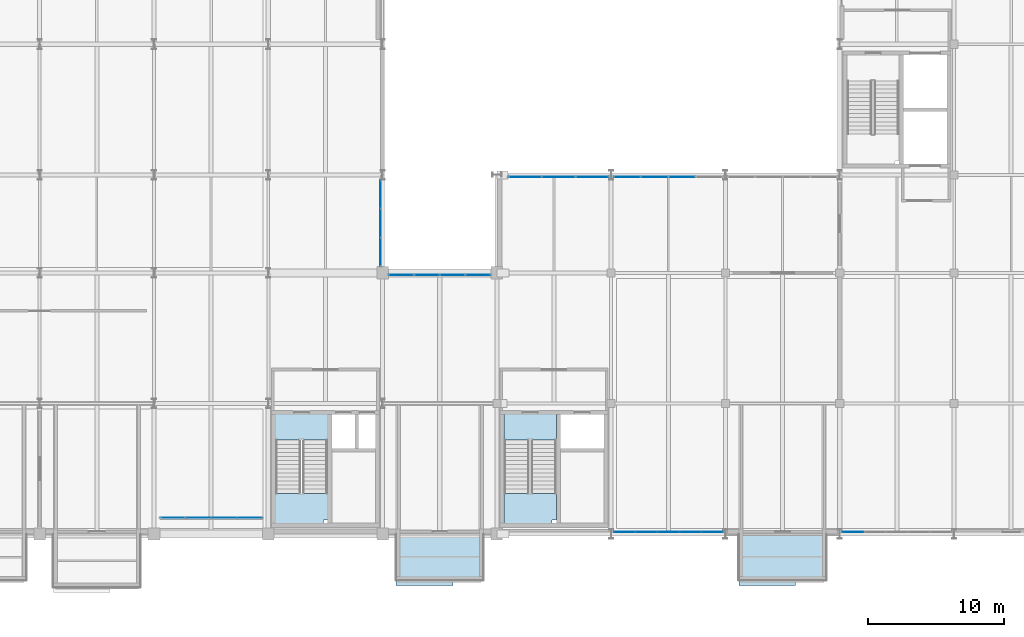
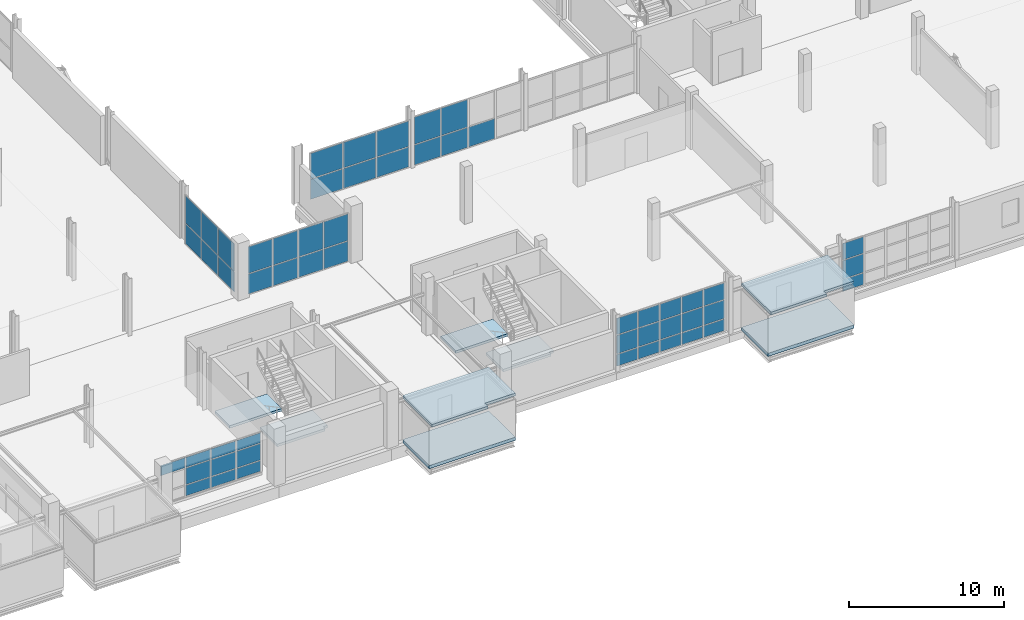
# One storey, part 88 of 113: 53 plates, 8 slabs, 9 elements without a shape of their own.
"""IFC4 building model written with IfcOpenShell, lengths in metres."""

from ifc_helpers import new_model, si_unit, direction, frame, origin, origin_2d, place, context, subcontext, project, spatial, polyline, rectangle, outline, extrude, material, layer, layer_set, type_object, element, aggregate, save


model = new_model("IFC4")

# Units and contexts
model_context = context("Model", 3, precision=1e-05, world=origin(), true_north=direction((0.0, 1.0)))
body_context = subcontext(model_context, "Body", "Model", "MODEL_VIEW")
ifc_project = project(units=[si_unit("LENGTHUNIT", "METRE"), si_unit("AREAUNIT", "SQUARE_METRE"), si_unit("VOLUMEUNIT", "CUBIC_METRE"), si_unit("PLANEANGLEUNIT", "RADIAN"), si_unit("MASSUNIT", "GRAM", prefix="KILO")], contexts=[model_context])

# Site, building, storey
site_placement = place(None, origin())
site = spatial("IfcSite", under=ifc_project, at=site_placement, CompositionType="ELEMENT")
building_placement = place(site_placement, origin())
building = spatial("IfcBuilding", under=site, at=building_placement, Name="Veltarok Museum of Natural Sciences", CompositionType="ELEMENT")
storey_placement = place(building_placement, frame((0.0, 0.0, 8.39990234375)))
storey = spatial("IfcBuildingStorey", under=building, at=storey_placement, Name="L01", CompositionType="ELEMENT", Elevation=8.39990234375)

# Slabs
ifc_material_1 = material(Name="Concrete C35/45", Category="concrete")
ifc_layer_1 = layer(ifc_material_1, 0.199951171875)
ifc_layer_set_1 = layer_set([ifc_layer_1], Name="Concrete C35/45")
slab_type_1 = type_object("IfcSlabType", Name="Cantilevered Cabinet Box Roof Slab 200", PredefinedType="ROOF", material=ifc_layer_set_1)
slab_1_placement = place(storey_placement, frame((0.0, 0.0, 3.25)))
element("IfcSlab", 1, at=slab_1_placement, inside=storey, type_object=slab_type_1, Name="Cabinet Box Roof Slab DB-05", PredefinedType="ROOF", context=body_context, shape_type="SweptSolid", body=[
    extrude(outline(polyline([(99.800048828125, -3.780029296875), (103.9599609375, -3.780029296875), (103.9599609375, -3.39990234375), (106.199951171875, -3.39990234375), (106.199951171875, 0.0), (99.800048828125, 0.0), (99.800048828125, -3.780029296875)])), origin(), (0.0, 0.0, 1.0), 0.2001953125),
])
slab_2_placement = place(storey_placement, frame((0.0, 0.0, 3.25)))
element("IfcSlab", 2, at=slab_2_placement, inside=storey, type_object=slab_type_1, Name="Cabinet Box Roof Slab DB-06", PredefinedType="ROOF", context=body_context, shape_type="SweptSolid", body=[
    extrude(outline(polyline([(125.0, -3.780029296875), (129.159912109375, -3.780029296875), (129.159912109375, -3.39990234375), (131.39990234375, -3.39990234375), (131.39990234375, 0.0), (125.0, 0.0), (125.0, -3.780029296875)])), origin(), (0.0, 0.0, 1.0), 0.2001953125),
])
ifc_layer_2 = layer(ifc_material_1, 0.199951171875)
ifc_layer_set_2 = layer_set([ifc_layer_2], Name="Concrete C35/45")
slab_type_2 = type_object("IfcSlabType", Name="Protected Stair Intermediate Landing Slab 200", PredefinedType="LANDING", material=ifc_layer_set_2)
slab_3_placement = place(storey_placement, frame((0.0, 0.0, -0.199951171875)))
element("IfcSlab", 3, at=slab_3_placement, inside=storey, type_object=slab_type_2, Name="Stairwell Floor Landing ST-02 L01", PredefinedType="LANDING", context=body_context, shape_type="SweptSolid", body=[
    extrude(outline(polyline([(90.909912109375, 6.89990234375), (94.7900390625, 6.89990234375), (94.7900390625, 8.820068359375), (90.909912109375, 8.820068359375), (90.909912109375, 6.89990234375)])), origin(), (0.0, 0.0, 1.0), 0.199951171875),
])

# Stair, slab
ifc_material_2 = material(Name="Precast concrete C40/50", Category="concrete")
stair_type = type_object("IfcStairType", Name="Protected Half-Turn Escape Stair H4500", PredefinedType="HALF_TURN_STAIR", material=ifc_material_2)
stair_1_placement = place(storey_placement, origin())
stair_1 = element("IfcStair", 4, at=stair_1_placement, inside=storey, type_object=stair_type, Name="Protected Escape Stair ST-02-L01", PredefinedType="HALF_TURN_STAIR")
slab_4_placement = place(storey_placement, frame((0.0, 0.0, 2.050048828125)))
slab_4 = element("IfcSlab", 5, at=slab_4_placement, type_object=slab_type_2, Name="ST-02-L01 landing 1", PredefinedType="LANDING", context=body_context, shape_type="SweptSolid", body=[
    extrude(outline(polyline([(90.909912109375, 0.780029296875), (94.469970703125, 0.780029296875), (94.469970703125, 1.02001953125), (94.7900390625, 1.02001953125), (94.7900390625, 3.0), (90.909912109375, 3.0), (90.909912109375, 0.780029296875)])), origin(), (0.0, 0.0, 1.0), 0.199951171875),
])
aggregate(stair_1, [slab_4])

# Slab
slab_5_placement = place(storey_placement, frame((0.0, 0.0, -0.199951171875)))
element("IfcSlab", 6, at=slab_5_placement, inside=storey, type_object=slab_type_2, Name="Stairwell Floor Landing ST-04 L01", PredefinedType="LANDING", context=body_context, shape_type="SweptSolid", body=[
    extrude(outline(polyline([(107.7099609375, 6.89990234375), (111.590087890625, 6.89990234375), (111.590087890625, 8.820068359375), (107.7099609375, 8.820068359375), (107.7099609375, 6.89990234375)])), origin(), (0.0, 0.0, 1.0), 0.199951171875),
])

# Stair, slab
stair_2_placement = place(storey_placement, origin())
stair_2 = element("IfcStair", 7, at=stair_2_placement, inside=storey, type_object=stair_type, Name="Protected Escape Stair ST-04-L01", PredefinedType="HALF_TURN_STAIR")
slab_6_placement = place(storey_placement, frame((0.0, 0.0, 2.050048828125)))
slab_6 = element("IfcSlab", 8, at=slab_6_placement, type_object=slab_type_2, Name="ST-04-L01 landing 1", PredefinedType="LANDING", context=body_context, shape_type="SweptSolid", body=[
    extrude(outline(polyline([(107.7099609375, 0.780029296875), (111.27001953125, 0.780029296875), (111.27001953125, 1.02001953125), (111.590087890625, 1.02001953125), (111.590087890625, 3.0), (107.7099609375, 3.0), (107.7099609375, 0.780029296875)])), origin(), (0.0, 0.0, 1.0), 0.199951171875),
])
aggregate(stair_2, [slab_6])

# Slabs
ifc_layer_3 = layer(ifc_material_1, 0.25)
ifc_layer_set_3 = layer_set([ifc_layer_3], Name="Concrete C35/45")
slab_type_3 = type_object("IfcSlabType", Name="Suspended Museum Floor Slab 250", PredefinedType="FLOOR", material=ifc_layer_set_3)
slab_7_placement = place(storey_placement, frame((0.0, 0.0, -0.25)))
element("IfcSlab", 9, at=slab_7_placement, inside=storey, type_object=slab_type_3, Name="Cabinet Box Floor Slab DB-05", PredefinedType="FLOOR", context=body_context, shape_type="SweptSolid", body=[
    extrude(outline(polyline([(99.800048828125, -3.39990234375), (106.199951171875, -3.39990234375), (106.199951171875, 0.0), (99.800048828125, 0.0), (99.800048828125, -3.39990234375)])), origin(), (0.0, 0.0, 1.0), 0.25),
])
slab_8_placement = place(storey_placement, frame((0.0, 0.0, -0.25)))
element("IfcSlab", 10, at=slab_8_placement, inside=storey, type_object=slab_type_3, Name="Cabinet Box Floor Slab DB-06", PredefinedType="FLOOR", context=body_context, shape_type="SweptSolid", body=[
    extrude(outline(polyline([(125.0, -3.39990234375), (131.39990234375, -3.39990234375), (131.39990234375, 0.0), (125.0, 0.0), (125.0, -3.39990234375)])), origin(), (0.0, 0.0, 1.0), 0.25),
])

# Curtain wall, plates
ifc_material_3 = material(Name="Low-iron triple insulated glass", Category="glass")
curtain_wall_type_1 = type_object("IfcCurtainWallType", Name="Curtain Wall System CW-CAB-L01-A-755x315 (V1 Recessed L01 755x315cm)", PredefinedType="NOTDEFINED", material=ifc_material_3)
curtain_wall_1_placement = place(storey_placement, origin())
curtain_wall_1 = element("IfcCurtainWall", 11, at=curtain_wall_1_placement, inside=storey, type_object=curtain_wall_type_1, Name="Curtain Wall CW-CAB-L01-A-755x315 CW-0002", PredefinedType="NOTDEFINED")
ifc_layer_4 = layer(ifc_material_3, 0.028076171875)
ifc_layer_set_4 = layer_set([ifc_layer_4], Name="Low-iron triple insulated glass")
plate_type = type_object("IfcPlateType", Name="Triple Low-Iron Glazed Vision Panel 28", PredefinedType="CURTAIN_PANEL", material=ifc_layer_set_4)
plate_1_placement = place(storey_placement, frame((83.3837890625, 1.199951171875, 2.480224609375), z_axis=(0.0, 0.0, 1.0), x_axis=(1.0, 0.0, 0.0)))
plate_1 = element("IfcPlate", 12, at=plate_1_placement, type_object=plate_type, Name="CW-CAB-L01-A-755x315 panel 1.3", PredefinedType="CURTAIN_PANEL", context=body_context, shape_type="SweptSolid", body=[
    extrude(rectangle(XDim=1.797607421875, YDim=0.028076171875, at=origin_2d()), origin(), (0.0, 0.0, 1.0), 0.794921875),
])
plate_2_placement = place(storey_placement, frame((85.25634765625, 1.199951171875, 0.239990234375), z_axis=(0.0, 0.0, 1.0), x_axis=(1.0, 0.0, 0.0)))
plate_2 = element("IfcPlate", 13, at=plate_2_placement, type_object=plate_type, Name="CW-CAB-L01-A-755x315 panel 2.1", PredefinedType="CURTAIN_PANEL", context=body_context, shape_type="SweptSolid", body=[
    extrude(rectangle(XDim=1.827392578125, YDim=0.028076171875, at=origin_2d()), origin(), (0.0, 0.0, 1.0), 0.830078125),
])
plate_3_placement = place(storey_placement, frame((85.25634765625, 1.199951171875, 1.130126953125), z_axis=(0.0, 0.0, 1.0), x_axis=(1.0, 0.0, 0.0)))
plate_3 = element("IfcPlate", 14, at=plate_3_placement, type_object=plate_type, Name="CW-CAB-L01-A-755x315 panel 2.2", PredefinedType="CURTAIN_PANEL", context=body_context, shape_type="SweptSolid", body=[
    extrude(rectangle(XDim=1.827392578125, YDim=0.028076171875, at=origin_2d()), origin(), (0.0, 0.0, 1.0), 1.2900390625),
])
plate_4_placement = place(storey_placement, frame((85.25634765625, 1.199951171875, 2.480224609375), z_axis=(0.0, 0.0, 1.0), x_axis=(1.0, 0.0, 0.0)))
plate_4 = element("IfcPlate", 15, at=plate_4_placement, type_object=plate_type, Name="CW-CAB-L01-A-755x315 panel 2.3", PredefinedType="CURTAIN_PANEL", context=body_context, shape_type="SweptSolid", body=[
    extrude(rectangle(XDim=1.827392578125, YDim=0.028076171875, at=origin_2d()), origin(), (0.0, 0.0, 1.0), 0.794921875),
])
plate_5_placement = place(storey_placement, frame((87.143798828125, 1.199951171875, 0.239990234375), z_axis=(0.0, 0.0, 1.0), x_axis=(1.0, 0.0, 0.0)))
plate_5 = element("IfcPlate", 16, at=plate_5_placement, type_object=plate_type, Name="CW-CAB-L01-A-755x315 panel 3.1", PredefinedType="CURTAIN_PANEL", context=body_context, shape_type="SweptSolid", body=[
    extrude(rectangle(XDim=1.827392578125, YDim=0.028076171875, at=origin_2d()), origin(), (0.0, 0.0, 1.0), 0.830078125),
])
plate_6_placement = place(storey_placement, frame((87.143798828125, 1.199951171875, 1.130126953125), z_axis=(0.0, 0.0, 1.0), x_axis=(1.0, 0.0, 0.0)))
plate_6 = element("IfcPlate", 17, at=plate_6_placement, type_object=plate_type, Name="CW-CAB-L01-A-755x315 panel 3.2", PredefinedType="CURTAIN_PANEL", context=body_context, shape_type="SweptSolid", body=[
    extrude(rectangle(XDim=1.827392578125, YDim=0.028076171875, at=origin_2d()), origin(), (0.0, 0.0, 1.0), 1.2900390625),
])
plate_7_placement = place(storey_placement, frame((87.143798828125, 1.199951171875, 2.480224609375), z_axis=(0.0, 0.0, 1.0), x_axis=(1.0, 0.0, 0.0)))
plate_7 = element("IfcPlate", 18, at=plate_7_placement, type_object=plate_type, Name="CW-CAB-L01-A-755x315 panel 3.3", PredefinedType="CURTAIN_PANEL", context=body_context, shape_type="SweptSolid", body=[
    extrude(rectangle(XDim=1.827392578125, YDim=0.028076171875, at=origin_2d()), origin(), (0.0, 0.0, 1.0), 0.794921875),
])
plate_8_placement = place(storey_placement, frame((89.016357421875, 1.199951171875, 0.239990234375), z_axis=(0.0, 0.0, 1.0), x_axis=(1.0, 0.0, 0.0)))
plate_8 = element("IfcPlate", 19, at=plate_8_placement, type_object=plate_type, Name="CW-CAB-L01-A-755x315 panel 4.1", PredefinedType="CURTAIN_PANEL", context=body_context, shape_type="SweptSolid", body=[
    extrude(rectangle(XDim=1.797607421875, YDim=0.028076171875, at=origin_2d()), origin(), (0.0, 0.0, 1.0), 0.830078125),
])
plate_9_placement = place(storey_placement, frame((89.016357421875, 1.199951171875, 1.130126953125), z_axis=(0.0, 0.0, 1.0), x_axis=(1.0, 0.0, 0.0)))
plate_9 = element("IfcPlate", 20, at=plate_9_placement, type_object=plate_type, Name="CW-CAB-L01-A-755x315 panel 4.2", PredefinedType="CURTAIN_PANEL", context=body_context, shape_type="SweptSolid", body=[
    extrude(rectangle(XDim=1.797607421875, YDim=0.028076171875, at=origin_2d()), origin(), (0.0, 0.0, 1.0), 1.2900390625),
])
plate_10_placement = place(storey_placement, frame((89.016357421875, 1.199951171875, 2.480224609375), z_axis=(0.0, 0.0, 1.0), x_axis=(1.0, 0.0, 0.0)))
plate_10 = element("IfcPlate", 21, at=plate_10_placement, type_object=plate_type, Name="CW-CAB-L01-A-755x315 panel 4.3", PredefinedType="CURTAIN_PANEL", context=body_context, shape_type="SweptSolid", body=[
    extrude(rectangle(XDim=1.797607421875, YDim=0.028076171875, at=origin_2d()), origin(), (0.0, 0.0, 1.0), 0.794921875),
])
aggregate(curtain_wall_1, [plate_1, plate_2, plate_3, plate_4, plate_5, plate_6, plate_7, plate_8, plate_9, plate_10])

curtain_wall_type_2 = type_object("IfcCurtainWallType", Name="Curtain Wall System CW-V5S-L01-14-810x388 (V5 South Lab Curtain Wall L01 14-15 810x388cm)", PredefinedType="NOTDEFINED", material=ifc_material_3)
curtain_wall_2_placement = place(storey_placement, origin())
curtain_wall_2 = element("IfcCurtainWall", 22, at=curtain_wall_2_placement, inside=storey, type_object=curtain_wall_type_2, Name="Curtain Wall CW-V5S-L01-14-810x388 CW-0089", PredefinedType="NOTDEFINED")
plate_11_placement = place(storey_placement, frame((116.574951171875, 0.159912109375, 0.06005859375), z_axis=(0.0, 0.0, 1.0), x_axis=(1.0, 0.0, 0.0)))
plate_11 = element("IfcPlate", 23, at=plate_11_placement, type_object=plate_type, Name="CW-V5S-L01-14-810x388 panel 1.1", PredefinedType="CURTAIN_PANEL", context=body_context, shape_type="SweptSolid", body=[
    extrude(rectangle(XDim=1.530029296875, YDim=0.028076171875, at=origin_2d()), origin(), (0.0, 0.0, 1.0), 0.909912109375),
])
plate_12_placement = place(storey_placement, frame((116.574951171875, 0.159912109375, 1.030029296875), z_axis=(0.0, 0.0, 1.0), x_axis=(1.0, 0.0, 0.0)))
plate_12 = element("IfcPlate", 24, at=plate_12_placement, type_object=plate_type, Name="CW-V5S-L01-14-810x388 panel 1.2", PredefinedType="CURTAIN_PANEL", context=body_context, shape_type="SweptSolid", body=[
    extrude(rectangle(XDim=1.530029296875, YDim=0.028076171875, at=origin_2d()), origin(), (0.0, 0.0, 1.0), 1.43994140625),
])
plate_13_placement = place(storey_placement, frame((116.574951171875, 0.159912109375, 2.530029296875), z_axis=(0.0, 0.0, 1.0), x_axis=(1.0, 0.0, 0.0)))
plate_13 = element("IfcPlate", 25, at=plate_13_placement, type_object=plate_type, Name="CW-V5S-L01-14-810x388 panel 1.3", PredefinedType="CURTAIN_PANEL", context=body_context, shape_type="SweptSolid", body=[
    extrude(rectangle(XDim=1.530029296875, YDim=0.028076171875, at=origin_2d()), origin(), (0.0, 0.0, 1.0), 1.2900390625),
])
plate_14_placement = place(storey_placement, frame((118.179931640625, 0.159912109375, 0.06005859375), z_axis=(0.0, 0.0, 1.0), x_axis=(1.0, 0.0, 0.0)))
plate_14 = element("IfcPlate", 26, at=plate_14_placement, type_object=plate_type, Name="CW-V5S-L01-14-810x388 panel 2.1", PredefinedType="CURTAIN_PANEL", context=body_context, shape_type="SweptSolid", body=[
    extrude(rectangle(XDim=1.56005859375, YDim=0.028076171875, at=origin_2d()), origin(), (0.0, 0.0, 1.0), 0.909912109375),
])
plate_15_placement = place(storey_placement, frame((118.179931640625, 0.159912109375, 1.030029296875), z_axis=(0.0, 0.0, 1.0), x_axis=(1.0, 0.0, 0.0)))
plate_15 = element("IfcPlate", 27, at=plate_15_placement, type_object=plate_type, Name="CW-V5S-L01-14-810x388 panel 2.2", PredefinedType="CURTAIN_PANEL", context=body_context, shape_type="SweptSolid", body=[
    extrude(rectangle(XDim=1.56005859375, YDim=0.028076171875, at=origin_2d()), origin(), (0.0, 0.0, 1.0), 1.43994140625),
])
plate_16_placement = place(storey_placement, frame((118.179931640625, 0.159912109375, 2.530029296875), z_axis=(0.0, 0.0, 1.0), x_axis=(1.0, 0.0, 0.0)))
plate_16 = element("IfcPlate", 28, at=plate_16_placement, type_object=plate_type, Name="CW-V5S-L01-14-810x388 panel 2.3", PredefinedType="CURTAIN_PANEL", context=body_context, shape_type="SweptSolid", body=[
    extrude(rectangle(XDim=1.56005859375, YDim=0.028076171875, at=origin_2d()), origin(), (0.0, 0.0, 1.0), 1.2900390625),
])
plate_17_placement = place(storey_placement, frame((119.800048828125, 0.159912109375, 0.06005859375), z_axis=(0.0, 0.0, 1.0), x_axis=(1.0, 0.0, 0.0)))
plate_17 = element("IfcPlate", 29, at=plate_17_placement, type_object=plate_type, Name="CW-V5S-L01-14-810x388 panel 3.1", PredefinedType="CURTAIN_PANEL", context=body_context, shape_type="SweptSolid", body=[
    extrude(rectangle(XDim=1.56005859375, YDim=0.028076171875, at=origin_2d()), origin(), (0.0, 0.0, 1.0), 0.909912109375),
])
plate_18_placement = place(storey_placement, frame((119.800048828125, 0.159912109375, 1.030029296875), z_axis=(0.0, 0.0, 1.0), x_axis=(1.0, 0.0, 0.0)))
plate_18 = element("IfcPlate", 30, at=plate_18_placement, type_object=plate_type, Name="CW-V5S-L01-14-810x388 panel 3.2", PredefinedType="CURTAIN_PANEL", context=body_context, shape_type="SweptSolid", body=[
    extrude(rectangle(XDim=1.56005859375, YDim=0.028076171875, at=origin_2d()), origin(), (0.0, 0.0, 1.0), 1.43994140625),
])
plate_19_placement = place(storey_placement, frame((119.800048828125, 0.159912109375, 2.530029296875), z_axis=(0.0, 0.0, 1.0), x_axis=(1.0, 0.0, 0.0)))
plate_19 = element("IfcPlate", 31, at=plate_19_placement, type_object=plate_type, Name="CW-V5S-L01-14-810x388 panel 3.3", PredefinedType="CURTAIN_PANEL", context=body_context, shape_type="SweptSolid", body=[
    extrude(rectangle(XDim=1.56005859375, YDim=0.028076171875, at=origin_2d()), origin(), (0.0, 0.0, 1.0), 1.2900390625),
])
plate_20_placement = place(storey_placement, frame((121.419921875, 0.159912109375, 0.06005859375), z_axis=(0.0, 0.0, 1.0), x_axis=(1.0, 0.0, 0.0)))
plate_20 = element("IfcPlate", 32, at=plate_20_placement, type_object=plate_type, Name="CW-V5S-L01-14-810x388 panel 4.1", PredefinedType="CURTAIN_PANEL", context=body_context, shape_type="SweptSolid", body=[
    extrude(rectangle(XDim=1.56005859375, YDim=0.028076171875, at=origin_2d()), origin(), (0.0, 0.0, 1.0), 0.909912109375),
])
plate_21_placement = place(storey_placement, frame((121.419921875, 0.159912109375, 1.030029296875), z_axis=(0.0, 0.0, 1.0), x_axis=(1.0, 0.0, 0.0)))
plate_21 = element("IfcPlate", 33, at=plate_21_placement, type_object=plate_type, Name="CW-V5S-L01-14-810x388 panel 4.2", PredefinedType="CURTAIN_PANEL", context=body_context, shape_type="SweptSolid", body=[
    extrude(rectangle(XDim=1.56005859375, YDim=0.028076171875, at=origin_2d()), origin(), (0.0, 0.0, 1.0), 1.43994140625),
])
plate_22_placement = place(storey_placement, frame((121.419921875, 0.159912109375, 2.530029296875), z_axis=(0.0, 0.0, 1.0), x_axis=(1.0, 0.0, 0.0)))
plate_22 = element("IfcPlate", 34, at=plate_22_placement, type_object=plate_type, Name="CW-V5S-L01-14-810x388 panel 4.3", PredefinedType="CURTAIN_PANEL", context=body_context, shape_type="SweptSolid", body=[
    extrude(rectangle(XDim=1.56005859375, YDim=0.028076171875, at=origin_2d()), origin(), (0.0, 0.0, 1.0), 1.2900390625),
])
plate_23_placement = place(storey_placement, frame((123.02490234375, 0.159912109375, 0.06005859375), z_axis=(0.0, 0.0, 1.0), x_axis=(1.0, 0.0, 0.0)))
plate_23 = element("IfcPlate", 35, at=plate_23_placement, type_object=plate_type, Name="CW-V5S-L01-14-810x388 panel 5.1", PredefinedType="CURTAIN_PANEL", context=body_context, shape_type="SweptSolid", body=[
    extrude(rectangle(XDim=1.530029296875, YDim=0.028076171875, at=origin_2d()), origin(), (0.0, 0.0, 1.0), 0.909912109375),
])
plate_24_placement = place(storey_placement, frame((123.02490234375, 0.159912109375, 1.030029296875), z_axis=(0.0, 0.0, 1.0), x_axis=(1.0, 0.0, 0.0)))
plate_24 = element("IfcPlate", 36, at=plate_24_placement, type_object=plate_type, Name="CW-V5S-L01-14-810x388 panel 5.2", PredefinedType="CURTAIN_PANEL", context=body_context, shape_type="SweptSolid", body=[
    extrude(rectangle(XDim=1.530029296875, YDim=0.028076171875, at=origin_2d()), origin(), (0.0, 0.0, 1.0), 1.43994140625),
])
plate_25_placement = place(storey_placement, frame((123.02490234375, 0.159912109375, 2.530029296875), z_axis=(0.0, 0.0, 1.0), x_axis=(1.0, 0.0, 0.0)))
plate_25 = element("IfcPlate", 37, at=plate_25_placement, type_object=plate_type, Name="CW-V5S-L01-14-810x388 panel 5.3", PredefinedType="CURTAIN_PANEL", context=body_context, shape_type="SweptSolid", body=[
    extrude(rectangle(XDim=1.530029296875, YDim=0.028076171875, at=origin_2d()), origin(), (0.0, 0.0, 1.0), 1.2900390625),
])
aggregate(curtain_wall_2, [plate_11, plate_12, plate_13, plate_14, plate_15, plate_16, plate_17, plate_18, plate_19, plate_20, plate_21, plate_22, plate_23, plate_24, plate_25])

curtain_wall_type_3 = type_object("IfcCurtainWallType", Name="Curtain Wall System CW-V5S-L01-16-810x388 (V5 South Lab Curtain Wall L01 16-17 810x388cm)", PredefinedType="NOTDEFINED", material=ifc_material_3)
curtain_wall_3_placement = place(storey_placement, origin())
curtain_wall_3 = element("IfcCurtainWall", 38, at=curtain_wall_3_placement, inside=storey, type_object=curtain_wall_type_3, Name="Curtain Wall CW-V5S-L01-16-810x388 CW-0090", PredefinedType="NOTDEFINED")
plate_26_placement = place(storey_placement, frame((133.375, 0.159912109375, 0.06005859375), z_axis=(0.0, 0.0, 1.0), x_axis=(1.0, 0.0, 0.0)))
plate_26 = element("IfcPlate", 39, at=plate_26_placement, type_object=plate_type, Name="CW-V5S-L01-16-810x388 panel 1.1", PredefinedType="CURTAIN_PANEL", context=body_context, shape_type="SweptSolid", body=[
    extrude(rectangle(XDim=1.530029296875, YDim=0.028076171875, at=origin_2d()), origin(), (0.0, 0.0, 1.0), 0.909912109375),
])
plate_27_placement = place(storey_placement, frame((133.375, 0.159912109375, 1.030029296875), z_axis=(0.0, 0.0, 1.0), x_axis=(1.0, 0.0, 0.0)))
plate_27 = element("IfcPlate", 40, at=plate_27_placement, type_object=plate_type, Name="CW-V5S-L01-16-810x388 panel 1.2", PredefinedType="CURTAIN_PANEL", context=body_context, shape_type="SweptSolid", body=[
    extrude(rectangle(XDim=1.530029296875, YDim=0.028076171875, at=origin_2d()), origin(), (0.0, 0.0, 1.0), 1.43994140625),
])
plate_28_placement = place(storey_placement, frame((133.375, 0.159912109375, 2.530029296875), z_axis=(0.0, 0.0, 1.0), x_axis=(1.0, 0.0, 0.0)))
plate_28 = element("IfcPlate", 41, at=plate_28_placement, type_object=plate_type, Name="CW-V5S-L01-16-810x388 panel 1.3", PredefinedType="CURTAIN_PANEL", context=body_context, shape_type="SweptSolid", body=[
    extrude(rectangle(XDim=1.530029296875, YDim=0.028076171875, at=origin_2d()), origin(), (0.0, 0.0, 1.0), 1.2900390625),
])
aggregate(curtain_wall_3, [plate_26, plate_27, plate_28])

curtain_wall_type_4 = type_object("IfcCurtainWallType", Name="Curtain Wall System CW-V2E-L01-0-640x388 (CW-V2E L01 640x388cm)", PredefinedType="NOTDEFINED", material=ifc_material_3)
curtain_wall_4_placement = place(storey_placement, origin())
curtain_wall_4 = element("IfcCurtainWall", 42, at=curtain_wall_4_placement, inside=storey, type_object=curtain_wall_type_4, Name="Curtain Wall CW-V2E-L01-0-640x388 CW-0128", PredefinedType="NOTDEFINED")
plate_29_placement = place(storey_placement, frame((98.64990234375, 20.731689453125, 0.05810546875), z_axis=(0.0, 0.0, 1.0), x_axis=(0.0, 1.0, 0.0)))
plate_29 = element("IfcPlate", 43, at=plate_29_placement, type_object=plate_type, Name="CW-V2E-L01-0-640x388 panel 1.1", PredefinedType="CURTAIN_PANEL", context=body_context, shape_type="SweptSolid", body=[
    extrude(rectangle(XDim=2.043212890625, YDim=0.028076171875, at=origin_2d()), origin(), (0.0, 0.0, 1.0), 1.56005859375),
])
plate_30_placement = place(storey_placement, frame((98.64990234375, 20.731689453125, 1.677978515625), z_axis=(0.0, 0.0, 1.0), x_axis=(0.0, 1.0, 0.0)))
plate_30 = element("IfcPlate", 44, at=plate_30_placement, type_object=plate_type, Name="CW-V2E-L01-0-640x388 panel 1.2", PredefinedType="CURTAIN_PANEL", context=body_context, shape_type="SweptSolid", body=[
    extrude(rectangle(XDim=2.043212890625, YDim=0.028076171875, at=origin_2d()), origin(), (0.0, 0.0, 1.0), 2.14208984375),
])
plate_31_placement = place(storey_placement, frame((98.64990234375, 22.85009765625, 0.05810546875), z_axis=(0.0, 0.0, 1.0), x_axis=(0.0, 1.0, 0.0)))
plate_31 = element("IfcPlate", 45, at=plate_31_placement, type_object=plate_type, Name="CW-V2E-L01-0-640x388 panel 2.1", PredefinedType="CURTAIN_PANEL", context=body_context, shape_type="SweptSolid", body=[
    extrude(rectangle(XDim=2.0732421875, YDim=0.028076171875, at=origin_2d()), origin(), (0.0, 0.0, 1.0), 1.56005859375),
])
plate_32_placement = place(storey_placement, frame((98.64990234375, 22.85009765625, 1.677978515625), z_axis=(0.0, 0.0, 1.0), x_axis=(0.0, 1.0, 0.0)))
plate_32 = element("IfcPlate", 46, at=plate_32_placement, type_object=plate_type, Name="CW-V2E-L01-0-640x388 panel 2.2", PredefinedType="CURTAIN_PANEL", context=body_context, shape_type="SweptSolid", body=[
    extrude(rectangle(XDim=2.0732421875, YDim=0.028076171875, at=origin_2d()), origin(), (0.0, 0.0, 1.0), 2.14208984375),
])
plate_33_placement = place(storey_placement, frame((98.64990234375, 24.96826171875, 0.05810546875), z_axis=(0.0, 0.0, 1.0), x_axis=(0.0, 1.0, 0.0)))
plate_33 = element("IfcPlate", 47, at=plate_33_placement, type_object=plate_type, Name="CW-V2E-L01-0-640x388 panel 3.1", PredefinedType="CURTAIN_PANEL", context=body_context, shape_type="SweptSolid", body=[
    extrude(rectangle(XDim=2.043212890625, YDim=0.028076171875, at=origin_2d()), origin(), (0.0, 0.0, 1.0), 1.56005859375),
])
plate_34_placement = place(storey_placement, frame((98.64990234375, 24.96826171875, 1.677978515625), z_axis=(0.0, 0.0, 1.0), x_axis=(0.0, 1.0, 0.0)))
plate_34 = element("IfcPlate", 48, at=plate_34_placement, type_object=plate_type, Name="CW-V2E-L01-0-640x388 panel 3.2", PredefinedType="CURTAIN_PANEL", context=body_context, shape_type="SweptSolid", body=[
    extrude(rectangle(XDim=2.043212890625, YDim=0.028076171875, at=origin_2d()), origin(), (0.0, 0.0, 1.0), 2.14208984375),
])
aggregate(curtain_wall_4, [plate_29, plate_30, plate_31, plate_32, plate_33, plate_34])

curtain_wall_type_5 = type_object("IfcCurtainWallType", Name="Curtain Wall System CW-V1CN-L01-1-755x383 (CW-V1CN L01 755x383cm)", PredefinedType="NOTDEFINED", material=ifc_material_3)
curtain_wall_5_placement = place(storey_placement, origin())
curtain_wall_5 = element("IfcCurtainWall", 49, at=curtain_wall_5_placement, inside=storey, type_object=curtain_wall_type_5, Name="Curtain Wall CW-V1CN-L01-1-755x383 CW-0157", PredefinedType="NOTDEFINED")
plate_35_placement = place(storey_placement, frame((105.816162109375, 19.050048828125, 0.05810546875), z_axis=(0.0, 0.0, 1.0), x_axis=(-1.0, 0.0, 0.0)))
plate_35 = element("IfcPlate", 50, at=plate_35_placement, type_object=plate_type, Name="CW-V1CN-L01-1-755x383 panel 1.1", PredefinedType="CURTAIN_PANEL", context=body_context, shape_type="SweptSolid", body=[
    extrude(rectangle(XDim=1.797607421875, YDim=0.028076171875, at=origin_2d()), origin(), (0.0, 0.0, 1.0), 1.56005859375),
])
plate_36_placement = place(storey_placement, frame((105.816162109375, 19.050048828125, 1.67822265625), z_axis=(0.0, 0.0, 1.0), x_axis=(-1.0, 0.0, 0.0)))
plate_36 = element("IfcPlate", 51, at=plate_36_placement, type_object=plate_type, Name="CW-V1CN-L01-1-755x383 panel 1.2", PredefinedType="CURTAIN_PANEL", context=body_context, shape_type="SweptSolid", body=[
    extrude(rectangle(XDim=1.797607421875, YDim=0.028076171875, at=origin_2d()), origin(), (0.0, 0.0, 1.0), 2.092041015625),
])
plate_37_placement = place(storey_placement, frame((103.94384765625, 19.050048828125, 0.05810546875), z_axis=(0.0, 0.0, 1.0), x_axis=(-1.0, 0.0, 0.0)))
plate_37 = element("IfcPlate", 52, at=plate_37_placement, type_object=plate_type, Name="CW-V1CN-L01-1-755x383 panel 2.1", PredefinedType="CURTAIN_PANEL", context=body_context, shape_type="SweptSolid", body=[
    extrude(rectangle(XDim=1.827392578125, YDim=0.028076171875, at=origin_2d()), origin(), (0.0, 0.0, 1.0), 1.56005859375),
])
plate_38_placement = place(storey_placement, frame((103.94384765625, 19.050048828125, 1.67822265625), z_axis=(0.0, 0.0, 1.0), x_axis=(-1.0, 0.0, 0.0)))
plate_38 = element("IfcPlate", 53, at=plate_38_placement, type_object=plate_type, Name="CW-V1CN-L01-1-755x383 panel 2.2", PredefinedType="CURTAIN_PANEL", context=body_context, shape_type="SweptSolid", body=[
    extrude(rectangle(XDim=1.827392578125, YDim=0.028076171875, at=origin_2d()), origin(), (0.0, 0.0, 1.0), 2.092041015625),
])
plate_39_placement = place(storey_placement, frame((102.05615234375, 19.050048828125, 0.05810546875), z_axis=(0.0, 0.0, 1.0), x_axis=(-1.0, 0.0, 0.0)))
plate_39 = element("IfcPlate", 54, at=plate_39_placement, type_object=plate_type, Name="CW-V1CN-L01-1-755x383 panel 3.1", PredefinedType="CURTAIN_PANEL", context=body_context, shape_type="SweptSolid", body=[
    extrude(rectangle(XDim=1.827392578125, YDim=0.028076171875, at=origin_2d()), origin(), (0.0, 0.0, 1.0), 1.56005859375),
])
plate_40_placement = place(storey_placement, frame((102.05615234375, 19.050048828125, 1.67822265625), z_axis=(0.0, 0.0, 1.0), x_axis=(-1.0, 0.0, 0.0)))
plate_40 = element("IfcPlate", 55, at=plate_40_placement, type_object=plate_type, Name="CW-V1CN-L01-1-755x383 panel 3.2", PredefinedType="CURTAIN_PANEL", context=body_context, shape_type="SweptSolid", body=[
    extrude(rectangle(XDim=1.827392578125, YDim=0.028076171875, at=origin_2d()), origin(), (0.0, 0.0, 1.0), 2.092041015625),
])
plate_41_placement = place(storey_placement, frame((100.183837890625, 19.050048828125, 0.05810546875), z_axis=(0.0, 0.0, 1.0), x_axis=(-1.0, 0.0, 0.0)))
plate_41 = element("IfcPlate", 56, at=plate_41_placement, type_object=plate_type, Name="CW-V1CN-L01-1-755x383 panel 4.1", PredefinedType="CURTAIN_PANEL", context=body_context, shape_type="SweptSolid", body=[
    extrude(rectangle(XDim=1.797607421875, YDim=0.028076171875, at=origin_2d()), origin(), (0.0, 0.0, 1.0), 1.56005859375),
])
plate_42_placement = place(storey_placement, frame((100.183837890625, 19.050048828125, 1.67822265625), z_axis=(0.0, 0.0, 1.0), x_axis=(-1.0, 0.0, 0.0)))
plate_42 = element("IfcPlate", 57, at=plate_42_placement, type_object=plate_type, Name="CW-V1CN-L01-1-755x383 panel 4.2", PredefinedType="CURTAIN_PANEL", context=body_context, shape_type="SweptSolid", body=[
    extrude(rectangle(XDim=1.797607421875, YDim=0.028076171875, at=origin_2d()), origin(), (0.0, 0.0, 1.0), 2.092041015625),
])
aggregate(curtain_wall_5, [plate_35, plate_36, plate_37, plate_38, plate_39, plate_40, plate_41, plate_42])

curtain_wall_type_6 = type_object("IfcCurtainWallType", Name="Curtain Wall System CW-V5CN-L01-3-742x373 (CW-V5CN L01 742x373cm)", PredefinedType="NOTDEFINED", material=ifc_material_3)
curtain_wall_6_placement = place(storey_placement, origin())
curtain_wall_6 = element("IfcCurtainWall", 58, at=curtain_wall_6_placement, inside=storey, type_object=curtain_wall_type_6, Name="Curtain Wall CW-V5CN-L01-3-742x373 CW-0187", PredefinedType="NOTDEFINED")
plate_43_placement = place(storey_placement, frame((114.1982421875, 26.25, 0.05810546875), z_axis=(0.0, 0.0, 1.0), x_axis=(-1.0, 0.0, 0.0)))
plate_43 = element("IfcPlate", 59, at=plate_43_placement, type_object=plate_type, Name="CW-V5CN-L01-3-742x373 panel 1.1", PredefinedType="CURTAIN_PANEL", context=body_context, shape_type="SweptSolid", body=[
    extrude(rectangle(XDim=2.38330078125, YDim=0.028076171875, at=origin_2d()), origin(), (0.0, 0.0, 1.0), 1.56005859375),
])
plate_44_placement = place(storey_placement, frame((114.1982421875, 26.25, 1.67822265625), z_axis=(0.0, 0.0, 1.0), x_axis=(-1.0, 0.0, 0.0)))
plate_44 = element("IfcPlate", 60, at=plate_44_placement, type_object=plate_type, Name="CW-V5CN-L01-3-742x373 panel 1.2", PredefinedType="CURTAIN_PANEL", context=body_context, shape_type="SweptSolid", body=[
    extrude(rectangle(XDim=2.38330078125, YDim=0.028076171875, at=origin_2d()), origin(), (0.0, 0.0, 1.0), 1.991943359375),
])
plate_45_placement = place(storey_placement, frame((111.739990234375, 26.25, 0.05810546875), z_axis=(0.0, 0.0, 1.0), x_axis=(-1.0, 0.0, 0.0)))
plate_45 = element("IfcPlate", 61, at=plate_45_placement, type_object=plate_type, Name="CW-V5CN-L01-3-742x373 panel 2.1", PredefinedType="CURTAIN_PANEL", context=body_context, shape_type="SweptSolid", body=[
    extrude(rectangle(XDim=2.413330078125, YDim=0.028076171875, at=origin_2d()), origin(), (0.0, 0.0, 1.0), 1.56005859375),
])
plate_46_placement = place(storey_placement, frame((111.739990234375, 26.25, 1.67822265625), z_axis=(0.0, 0.0, 1.0), x_axis=(-1.0, 0.0, 0.0)))
plate_46 = element("IfcPlate", 62, at=plate_46_placement, type_object=plate_type, Name="CW-V5CN-L01-3-742x373 panel 2.2", PredefinedType="CURTAIN_PANEL", context=body_context, shape_type="SweptSolid", body=[
    extrude(rectangle(XDim=2.413330078125, YDim=0.028076171875, at=origin_2d()), origin(), (0.0, 0.0, 1.0), 1.991943359375),
])
plate_47_placement = place(storey_placement, frame((109.28173828125, 26.25, 0.05810546875), z_axis=(0.0, 0.0, 1.0), x_axis=(-1.0, 0.0, 0.0)))
plate_47 = element("IfcPlate", 63, at=plate_47_placement, type_object=plate_type, Name="CW-V5CN-L01-3-742x373 panel 3.1", PredefinedType="CURTAIN_PANEL", context=body_context, shape_type="SweptSolid", body=[
    extrude(rectangle(XDim=2.38330078125, YDim=0.028076171875, at=origin_2d()), origin(), (0.0, 0.0, 1.0), 1.56005859375),
])
plate_48_placement = place(storey_placement, frame((109.28173828125, 26.25, 1.67822265625), z_axis=(0.0, 0.0, 1.0), x_axis=(-1.0, 0.0, 0.0)))
plate_48 = element("IfcPlate", 64, at=plate_48_placement, type_object=plate_type, Name="CW-V5CN-L01-3-742x373 panel 3.2", PredefinedType="CURTAIN_PANEL", context=body_context, shape_type="SweptSolid", body=[
    extrude(rectangle(XDim=2.38330078125, YDim=0.028076171875, at=origin_2d()), origin(), (0.0, 0.0, 1.0), 1.991943359375),
])
aggregate(curtain_wall_6, [plate_43, plate_44, plate_45, plate_46, plate_47, plate_48])

curtain_wall_type_7 = type_object("IfcCurtainWallType", Name="Curtain Wall System CW-V5CN-L01-0-810x388 (CW-V5CN L01 810x388cm)", PredefinedType="NOTDEFINED", material=ifc_material_3)
curtain_wall_7_placement = place(storey_placement, origin())
curtain_wall_7 = element("IfcCurtainWall", 65, at=curtain_wall_7_placement, inside=storey, type_object=curtain_wall_type_7, Name="Curtain Wall CW-V5CN-L01-0-810x388 CW-0188", PredefinedType="NOTDEFINED")
plate_49_placement = place(storey_placement, frame((120.8125, 26.25, 0.05810546875), z_axis=(0.0, 0.0, 1.0), x_axis=(-1.0, 0.0, 0.0)))
plate_49 = element("IfcPlate", 66, at=plate_49_placement, type_object=plate_type, Name="CW-V5CN-L01-0-810x388 panel 2.1", PredefinedType="CURTAIN_PANEL", context=body_context, shape_type="SweptSolid", body=[
    extrude(rectangle(XDim=1.965087890625, YDim=0.028076171875, at=origin_2d()), origin(), (0.0, 0.0, 1.0), 1.56005859375),
])
plate_50_placement = place(storey_placement, frame((118.78759765625, 26.25, 0.05810546875), z_axis=(0.0, 0.0, 1.0), x_axis=(-1.0, 0.0, 0.0)))
plate_50 = element("IfcPlate", 67, at=plate_50_placement, type_object=plate_type, Name="CW-V5CN-L01-0-810x388 panel 3.1", PredefinedType="CURTAIN_PANEL", context=body_context, shape_type="SweptSolid", body=[
    extrude(rectangle(XDim=1.965087890625, YDim=0.028076171875, at=origin_2d()), origin(), (0.0, 0.0, 1.0), 1.56005859375),
])
plate_51_placement = place(storey_placement, frame((118.78759765625, 26.25, 1.677978515625), z_axis=(0.0, 0.0, 1.0), x_axis=(-1.0, 0.0, 0.0)))
plate_51 = element("IfcPlate", 68, at=plate_51_placement, type_object=plate_type, Name="CW-V5CN-L01-0-810x388 panel 3.2", PredefinedType="CURTAIN_PANEL", context=body_context, shape_type="SweptSolid", body=[
    extrude(rectangle(XDim=1.965087890625, YDim=0.028076171875, at=origin_2d()), origin(), (0.0, 0.0, 1.0), 2.14208984375),
])
plate_52_placement = place(storey_placement, frame((116.777587890625, 26.25, 0.05810546875), z_axis=(0.0, 0.0, 1.0), x_axis=(-1.0, 0.0, 0.0)))
plate_52 = element("IfcPlate", 69, at=plate_52_placement, type_object=plate_type, Name="CW-V5CN-L01-0-810x388 panel 4.1", PredefinedType="CURTAIN_PANEL", context=body_context, shape_type="SweptSolid", body=[
    extrude(rectangle(XDim=1.93505859375, YDim=0.028076171875, at=origin_2d()), origin(), (0.0, 0.0, 1.0), 1.56005859375),
])
plate_53_placement = place(storey_placement, frame((116.777587890625, 26.25, 1.677978515625), z_axis=(0.0, 0.0, 1.0), x_axis=(-1.0, 0.0, 0.0)))
plate_53 = element("IfcPlate", 70, at=plate_53_placement, type_object=plate_type, Name="CW-V5CN-L01-0-810x388 panel 4.2", PredefinedType="CURTAIN_PANEL", context=body_context, shape_type="SweptSolid", body=[
    extrude(rectangle(XDim=1.93505859375, YDim=0.028076171875, at=origin_2d()), origin(), (0.0, 0.0, 1.0), 2.14208984375),
])
aggregate(curtain_wall_7, [plate_49, plate_50, plate_51, plate_52, plate_53])

save(model, "model.ifc")
